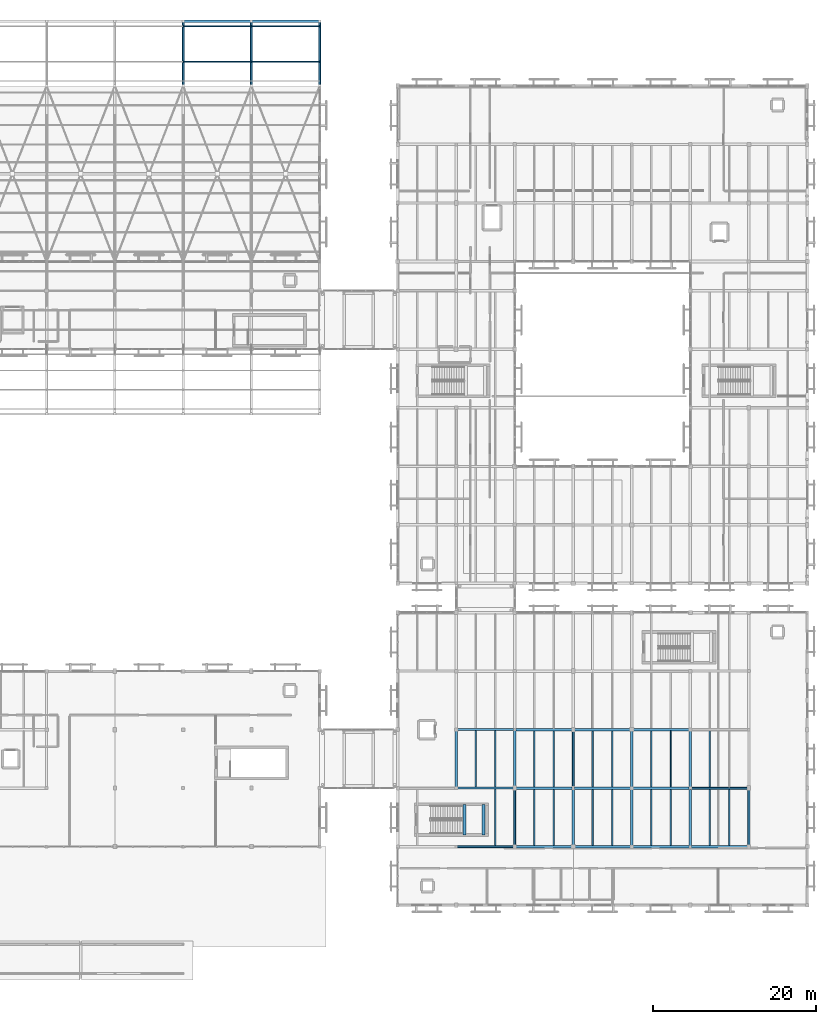
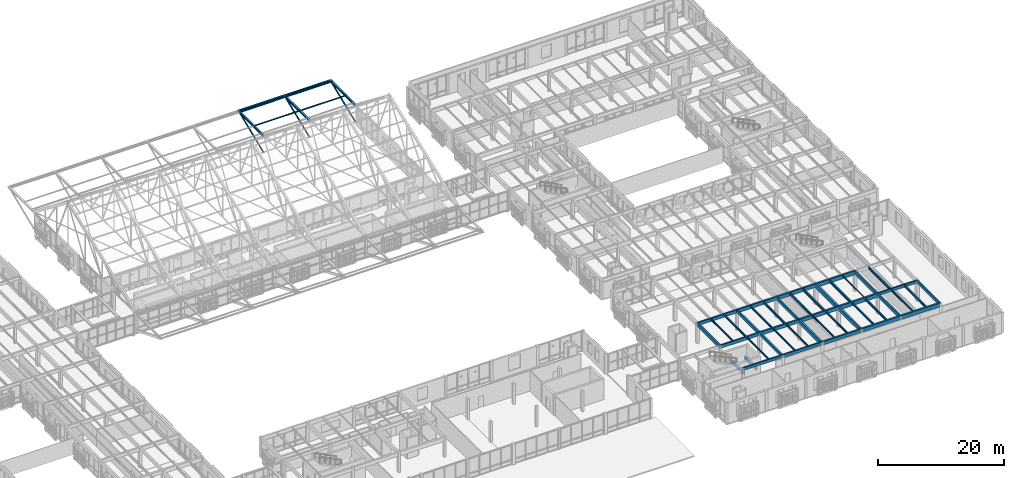
# One storey, part 134 of 217: 46 beams, 10 members.
"""IFC4 building model written with IfcOpenShell, lengths in metres."""

from ifc_helpers import new_model, si_unit, direction, frame, origin, origin_2d, place, context, subcontext, project, spatial, rectangle, hollow_rectangle, i_section, extrude, material, material_profile, profile_set, type_object, element, save


model = new_model("IFC4")

# Units and contexts
model_context = context("Model", 3, precision=1e-05, world=origin(), true_north=direction((0.0, 1.0)))
body_context = subcontext(model_context, "Body", "Model", "MODEL_VIEW")
ifc_project = project(units=[si_unit("LENGTHUNIT", "METRE"), si_unit("AREAUNIT", "SQUARE_METRE"), si_unit("VOLUMEUNIT", "CUBIC_METRE"), si_unit("PLANEANGLEUNIT", "RADIAN"), si_unit("MASSUNIT", "GRAM", prefix="KILO")], contexts=[model_context])

# Site, building, storey
site_placement = place(None, origin())
site = spatial("IfcSite", under=ifc_project, at=site_placement, CompositionType="ELEMENT")
building_placement = place(site_placement, origin())
building = spatial("IfcBuilding", under=site, at=building_placement, Name="Mazaris Harbour Polytechnic", CompositionType="ELEMENT")
storey_placement = place(building_placement, frame((0.0, 0.0, 9.60009765625)))
storey = spatial("IfcBuildingStorey", under=building, at=storey_placement, Name="L02", CompositionType="ELEMENT", Elevation=9.60009765625)

# Beams
ifc_material_1 = material(Name="Glulam GL32h", Category="wood")
ifc_material_profile_1 = material_profile(ifc_material_1, rectangle(XDim=0.239990234375, YDim=0.52001953125, at=origin_2d()), Name="RECT240x520")
ifc_profile_set_1 = profile_set([ifc_material_profile_1], Name="Glulam GL32h")
beam_type_1 = type_object("IfcBeamType", Name="Glulam Girder 240x520", PredefinedType="BEAM", material=ifc_profile_set_1)
for number, where, z_axis, x_axis, name in (
    (1, (158.39990234375, 21.60009765625, 3.659912109375), (1.0, 0.0, 0.0), (0.0, 1.0, 0.0), "V2 L02 Girder 655"),
    (2, (136.800048828125, 14.39990234375, 3.659912109375), (0.0, 1.0, 0.0), (-1.0, 0.0, 0.0), "V2 L02 Tie Girder 680"),
):
    element("IfcBeam", number, at=place(storey_placement, frame(where, z_axis=z_axis, x_axis=x_axis)), inside=storey, type_object=beam_type_1, Name=name, PredefinedType="BEAM", context=body_context, shape_type="SweptSolid", body=[
        extrude(rectangle(XDim=0.239990234375, YDim=0.52001953125, at=origin_2d()), origin(), (0.0, 0.0, 1.0), 7.2001953125),
    ])
beam_1_placement = place(storey_placement, frame((144.0, 21.60009765625, 3.659912109375), z_axis=(0.0, 1.0, 0.0), x_axis=(-1.0, 0.0, 0.0)))
element("IfcBeam", 3, at=beam_1_placement, inside=storey, type_object=beam_type_1, Name="V2 L02 Tie Girder 685", PredefinedType="BEAM", context=body_context, shape_type="SweptSolid", body=[
    extrude(rectangle(XDim=0.239990234375, YDim=0.52001953125, at=origin_2d()), origin(), (0.0, 0.0, 1.0), 7.199951171875),
])
ifc_material_2 = material(Name="Glulam GL32h", Category="wood")
ifc_material_profile_2 = material_profile(ifc_material_2, rectangle(XDim=0.239990234375, YDim=0.52001953125, at=origin_2d()), Name="RECT240x520")
ifc_profile_set_2 = profile_set([ifc_material_profile_2], Name="Glulam GL32h")
beam_type_2 = type_object("IfcBeamType", Name="Glulam Girder 240x520 Exterior", PredefinedType="BEAM", material=ifc_profile_set_2)
beam_2_placement = place(storey_placement, frame((129.60009765625, 14.39990234375, 3.659912109375), z_axis=(1.0, 0.0, 0.0), x_axis=(0.0, 1.0, 0.0)))
element("IfcBeam", 4, at=beam_2_placement, inside=storey, type_object=beam_type_2, Name="V2 L02 Girder 645", PredefinedType="BEAM", context=body_context, shape_type="SweptSolid", body=[
    extrude(rectangle(XDim=0.239990234375, YDim=0.52001953125, at=origin_2d()), origin(), (0.0, 0.0, 1.0), 7.199951171875),
])
beam_3_placement = place(storey_placement, frame((165.60009765625, 14.39990234375, 3.659912109375), z_axis=(0.0, 1.0, 0.0), x_axis=(-1.0, 0.0, 0.0)))
element("IfcBeam", 5, at=beam_3_placement, inside=storey, type_object=beam_type_2, Name="V2 L02 Tie Girder 695", PredefinedType="BEAM", context=body_context, shape_type="SweptSolid", body=[
    extrude(rectangle(XDim=0.239990234375, YDim=0.52001953125, at=origin_2d()), origin(), (0.0, 0.0, 1.0), 7.2001953125),
])
ifc_material_3 = material(Name="Glulam GL32h", Category="wood")
ifc_material_profile_3 = material_profile(ifc_material_3, rectangle(XDim=0.260009765625, YDim=0.580078125, at=origin_2d()), Name="RECT260x580")
ifc_profile_set_3 = profile_set([ifc_material_profile_3], Name="Glulam GL32h")
beam_type_3 = type_object("IfcBeamType", Name="Glulam Girder 260x580", PredefinedType="BEAM", material=ifc_profile_set_3)
for number, where, z_axis, x_axis, name in (
    (6, (129.60009765625, 21.60009765625, 3.6298828125), (1.0, 0.0, 0.0), (0.0, 1.0, 0.0), "V2 L02 Girder 651"),
    (7, (129.60009765625, 28.800048828125, 3.6298828125), (1.0, 0.0, 0.0), (0.0, 1.0, 0.0), "V2 L02 Girder 656"),
    (8, (136.800048828125, 21.60009765625, 3.6298828125), (0.0, 1.0, 0.0), (-1.0, 0.0, 0.0), "V2 L02 Tie Girder 681"),
):
    element("IfcBeam", number, at=place(storey_placement, frame(where, z_axis=z_axis, x_axis=x_axis)), inside=storey, type_object=beam_type_3, Name=name, PredefinedType="BEAM", context=body_context, shape_type="SweptSolid", body=[
        extrude(rectangle(XDim=0.260009765625, YDim=0.580078125, at=origin_2d()), origin(), (0.0, 0.0, 1.0), 7.199951171875),
    ])
ifc_material_4 = material(Name="Glulam GL32h", Category="wood")
ifc_material_profile_4 = material_profile(ifc_material_4, rectangle(XDim=0.260009765625, YDim=0.580078125, at=origin_2d()), Name="RECT260x580")
ifc_profile_set_4 = profile_set([ifc_material_profile_4], Name="Glulam GL32h")
beam_type_4 = type_object("IfcBeamType", Name="Glulam Girder 260x580 Exterior", PredefinedType="BEAM", material=ifc_profile_set_4)
beam_4_placement = place(storey_placement, frame((136.800048828125, 14.39990234375, 3.6298828125), z_axis=(1.0, 0.0, 0.0), x_axis=(0.0, 1.0, 0.0)))
element("IfcBeam", 9, at=beam_4_placement, inside=storey, type_object=beam_type_4, Name="V2 L02 Girder 646", PredefinedType="BEAM", context=body_context, shape_type="SweptSolid", body=[
    extrude(rectangle(XDim=0.260009765625, YDim=0.580078125, at=origin_2d()), origin(), (0.0, 0.0, 1.0), 7.199951171875),
])
ifc_material_5 = material(Name="Glulam GL32h", Category="wood")
ifc_material_profile_5 = material_profile(ifc_material_5, rectangle(XDim=0.280029296875, YDim=0.639892578125, at=origin_2d()), Name="RECT280x640")
ifc_profile_set_5 = profile_set([ifc_material_profile_5], Name="Glulam GL32h")
beam_type_5 = type_object("IfcBeamType", Name="Glulam Girder 280x640", PredefinedType="BEAM", material=ifc_profile_set_5)
for number, where, z_axis, x_axis, name in (
    (10, (136.800048828125, 21.60009765625, 3.599853515625), (1.0, 0.0, 0.0), (0.0, 1.0, 0.0), "V2 L02 Girder 652"),
    (11, (136.800048828125, 28.800048828125, 3.599853515625), (1.0, 0.0, 0.0), (0.0, 1.0, 0.0), "V2 L02 Girder 657"),
    (12, (129.60009765625, 21.60009765625, 3.599853515625), (0.0, 1.0, 0.0), (-1.0, 0.0, 0.0), "V2 L02 Tie Girder 677"),
):
    element("IfcBeam", number, at=place(storey_placement, frame(where, z_axis=z_axis, x_axis=x_axis)), inside=storey, type_object=beam_type_5, Name=name, PredefinedType="BEAM", context=body_context, shape_type="SweptSolid", body=[
        extrude(rectangle(XDim=0.280029296875, YDim=0.639892578125, at=origin_2d()), origin(), (0.0, 0.0, 1.0), 7.199951171875),
    ])
beam_5_placement = place(storey_placement, frame((158.39990234375, 14.39990234375, 3.599853515625), z_axis=(0.0, 1.0, 0.0), x_axis=(-1.0, 0.0, 0.0)))
element("IfcBeam", 13, at=beam_5_placement, inside=storey, type_object=beam_type_5, Name="V2 L02 Tie Girder 692", PredefinedType="BEAM", context=body_context, shape_type="SweptSolid", body=[
    extrude(rectangle(XDim=0.280029296875, YDim=0.639892578125, at=origin_2d()), origin(), (0.0, 0.0, 1.0), 7.2001953125),
])
ifc_material_6 = material(Name="Glulam GL32h", Category="wood")
ifc_material_profile_6 = material_profile(ifc_material_6, rectangle(XDim=0.280029296875, YDim=0.639892578125, at=origin_2d()), Name="RECT280x640")
ifc_profile_set_6 = profile_set([ifc_material_profile_6], Name="Glulam GL32h")
beam_type_6 = type_object("IfcBeamType", Name="Glulam Girder 280x640 Exterior", PredefinedType="BEAM", material=ifc_profile_set_6)
beam_6_placement = place(storey_placement, frame((144.0, 14.39990234375, 3.599853515625), z_axis=(1.0, 0.0, 0.0), x_axis=(0.0, 1.0, 0.0)))
element("IfcBeam", 14, at=beam_6_placement, inside=storey, type_object=beam_type_6, Name="V2 L02 Girder 647", PredefinedType="BEAM", context=body_context, shape_type="SweptSolid", body=[
    extrude(rectangle(XDim=0.280029296875, YDim=0.639892578125, at=origin_2d()), origin(), (0.0, 0.0, 1.0), 7.199951171875),
])
ifc_material_7 = material(Name="Glulam GL32h", Category="wood")
ifc_material_profile_7 = material_profile(ifc_material_7, rectangle(XDim=0.300048828125, YDim=0.679931640625, at=origin_2d()), Name="RECT300x680")
ifc_profile_set_7 = profile_set([ifc_material_profile_7], Name="Glulam GL32h")
beam_type_7 = type_object("IfcBeamType", Name="Glulam Girder 300x680", PredefinedType="BEAM", material=ifc_profile_set_7)
for number, where, z_axis, x_axis, name in (
    (15, (144.0, 21.60009765625, 3.579833984375), (1.0, 0.0, 0.0), (0.0, 1.0, 0.0), "V2 L02 Girder 653"),
    (16, (144.0, 28.800048828125, 3.579833984375), (1.0, 0.0, 0.0), (0.0, 1.0, 0.0), "V2 L02 Girder 658"),
):
    element("IfcBeam", number, at=place(storey_placement, frame(where, z_axis=z_axis, x_axis=x_axis)), inside=storey, type_object=beam_type_7, Name=name, PredefinedType="BEAM", context=body_context, shape_type="SweptSolid", body=[
        extrude(rectangle(XDim=0.300048828125, YDim=0.679931640625, at=origin_2d()), origin(), (0.0, 0.0, 1.0), 7.199951171875),
    ])
beam_7_placement = place(storey_placement, frame((151.199951171875, 14.39990234375, 3.579833984375), z_axis=(0.0, 1.0, 0.0), x_axis=(-1.0, 0.0, 0.0)))
element("IfcBeam", 17, at=beam_7_placement, inside=storey, type_object=beam_type_7, Name="V2 L02 Tie Girder 688", PredefinedType="BEAM", context=body_context, shape_type="SweptSolid", body=[
    extrude(rectangle(XDim=0.300048828125, YDim=0.679931640625, at=origin_2d()), origin(), (0.0, 0.0, 1.0), 7.2001953125),
])
beam_8_placement = place(storey_placement, frame((158.39990234375, 21.60009765625, 3.579833984375), z_axis=(0.0, 1.0, 0.0), x_axis=(-1.0, 0.0, 0.0)))
element("IfcBeam", 18, at=beam_8_placement, inside=storey, type_object=beam_type_7, Name="V2 L02 Tie Girder 693", PredefinedType="BEAM", context=body_context, shape_type="SweptSolid", body=[
    extrude(rectangle(XDim=0.300048828125, YDim=0.679931640625, at=origin_2d()), origin(), (0.0, 0.0, 1.0), 7.199951171875),
])
ifc_material_8 = material(Name="Glulam GL32h", Category="wood")
ifc_material_profile_8 = material_profile(ifc_material_8, rectangle(XDim=0.300048828125, YDim=0.679931640625, at=origin_2d()), Name="RECT300x680")
ifc_profile_set_8 = profile_set([ifc_material_profile_8], Name="Glulam GL32h")
beam_type_8 = type_object("IfcBeamType", Name="Glulam Girder 300x680 Exterior", PredefinedType="BEAM", material=ifc_profile_set_8)
beam_9_placement = place(storey_placement, frame((151.199951171875, 14.39990234375, 3.579833984375), z_axis=(1.0, 0.0, 0.0), x_axis=(0.0, 1.0, 0.0)))
element("IfcBeam", 19, at=beam_9_placement, inside=storey, type_object=beam_type_8, Name="V2 L02 Girder 648", PredefinedType="BEAM", context=body_context, shape_type="SweptSolid", body=[
    extrude(rectangle(XDim=0.300048828125, YDim=0.679931640625, at=origin_2d()), origin(), (0.0, 0.0, 1.0), 7.199951171875),
])
ifc_material_9 = material(Name="Glulam GL32h", Category="wood")
ifc_material_profile_9 = material_profile(ifc_material_9, rectangle(XDim=0.320068359375, YDim=0.739990234375, at=origin_2d()), Name="RECT320x740")
ifc_profile_set_9 = profile_set([ifc_material_profile_9], Name="Glulam GL32h")
beam_type_9 = type_object("IfcBeamType", Name="Glulam Girder 320x740", PredefinedType="BEAM", material=ifc_profile_set_9)
for number, where, z_axis, x_axis, name in (
    (20, (151.199951171875, 21.60009765625, 3.5498046875), (1.0, 0.0, 0.0), (0.0, 1.0, 0.0), "V2 L02 Girder 654"),
    (21, (151.199951171875, 28.800048828125, 3.5498046875), (1.0, 0.0, 0.0), (0.0, 1.0, 0.0), "V2 L02 Girder 659"),
):
    element("IfcBeam", number, at=place(storey_placement, frame(where, z_axis=z_axis, x_axis=x_axis)), inside=storey, type_object=beam_type_9, Name=name, PredefinedType="BEAM", context=body_context, shape_type="SweptSolid", body=[
        extrude(rectangle(XDim=0.320068359375, YDim=0.739990234375, at=origin_2d()), origin(), (0.0, 0.0, 1.0), 7.199951171875),
    ])
beam_10_placement = place(storey_placement, frame((144.0, 14.39990234375, 3.5498046875), z_axis=(0.0, 1.0, 0.0), x_axis=(-1.0, 0.0, 0.0)))
element("IfcBeam", 22, at=beam_10_placement, inside=storey, type_object=beam_type_9, Name="V2 L02 Tie Girder 684", PredefinedType="BEAM", context=body_context, shape_type="SweptSolid", body=[
    extrude(rectangle(XDim=0.320068359375, YDim=0.739990234375, at=origin_2d()), origin(), (0.0, 0.0, 1.0), 7.2001953125),
])
beam_11_placement = place(storey_placement, frame((151.199951171875, 21.60009765625, 3.5498046875), z_axis=(0.0, 1.0, 0.0), x_axis=(-1.0, 0.0, 0.0)))
element("IfcBeam", 23, at=beam_11_placement, inside=storey, type_object=beam_type_9, Name="V2 L02 Tie Girder 689", PredefinedType="BEAM", context=body_context, shape_type="SweptSolid", body=[
    extrude(rectangle(XDim=0.320068359375, YDim=0.739990234375, at=origin_2d()), origin(), (0.0, 0.0, 1.0), 7.199951171875),
])
ifc_material_10 = material(Name="Glulam GL32h", Category="wood")
ifc_material_profile_10 = material_profile(ifc_material_10, rectangle(XDim=0.320068359375, YDim=0.739990234375, at=origin_2d()), Name="RECT320x740")
ifc_profile_set_10 = profile_set([ifc_material_profile_10], Name="Glulam GL32h")
beam_type_10 = type_object("IfcBeamType", Name="Glulam Girder 320x740 Exterior", PredefinedType="BEAM", material=ifc_profile_set_10)
beam_12_placement = place(storey_placement, frame((158.39990234375, 14.39990234375, 3.5498046875), z_axis=(1.0, 0.0, 0.0), x_axis=(0.0, 1.0, 0.0)))
element("IfcBeam", 24, at=beam_12_placement, inside=storey, type_object=beam_type_10, Name="V2 L02 Girder 649", PredefinedType="BEAM", context=body_context, shape_type="SweptSolid", body=[
    extrude(rectangle(XDim=0.320068359375, YDim=0.739990234375, at=origin_2d()), origin(), (0.0, 0.0, 1.0), 7.2001953125),
])
ifc_material_11 = material(Name="Concrete C40/50", Category="concrete")
ifc_material_profile_11 = material_profile(ifc_material_11, rectangle(XDim=0.35009765625, YDim=0.52001953125, at=origin_2d()), Name="RECT350x520")
ifc_profile_set_11 = profile_set([ifc_material_profile_11], Name="Concrete C40/50")
beam_type_11 = type_object("IfcBeamType", Name="RC Landing Bearer 350x520", PredefinedType="BEAM", material=ifc_profile_set_11)
for number, where, z_axis, x_axis, name in (
    (25, (130.60009765625, 15.85009765625, 1.639892578125), (0.0, 1.0, 0.0), (-1.0, 0.0, 0.0), "Core ST03 L02 Landing Bearer"),
    (26, (132.949951171875, 15.85009765625, 1.639892578125), (0.0, 1.0, 0.0), (-1.0, 0.0, 0.0), "Core ST03 L02 Landing Bearer"),
):
    element("IfcBeam", number, at=place(storey_placement, frame(where, z_axis=z_axis, x_axis=x_axis)), inside=storey, type_object=beam_type_11, Name=name, PredefinedType="BEAM", context=body_context, shape_type="SweptSolid", body=[
        extrude(rectangle(XDim=0.35009765625, YDim=0.52001953125, at=origin_2d()), origin(), (0.0, 0.0, 1.0), 3.75),
    ])
ifc_material_12 = material(Name="Steel S355", Category="steel")
ifc_material_profile_12 = material_profile(ifc_material_12, i_section(OverallWidth=0.260009765625, OverallDepth=0.25, WebThickness=0.007568359375, FlangeThickness=0.012451171875, FilletRadius=0.02392578125, at=origin_2d()), Name="HEA 260")
ifc_profile_set_12 = profile_set([ifc_material_profile_12], Name="Steel S355")
beam_type_12 = type_object("IfcBeamType", Name="Steel Beam HEA260 Exterior", PredefinedType="SPANDREL", material=ifc_profile_set_12)
beam_13_placement = place(storey_placement, frame((96.0, 115.949951171875, 3.75), z_axis=(1.0, 0.0, 0.0), x_axis=(0.0, 1.0, 0.0)))
element("IfcBeam", 27, at=beam_13_placement, inside=storey, type_object=beam_type_12, Name="V1 Eave Fascia Beam 6", PredefinedType="SPANDREL", context=body_context, shape_type="SweptSolid", body=[
    extrude(i_section(OverallWidth=0.260009765625, OverallDepth=0.25, WebThickness=0.007568359375, FlangeThickness=0.012451171875, FilletRadius=0.02392578125, at=origin_2d()), origin(), (0.0, 0.0, 1.0), 8.39990234375),
])
beam_14_placement = place(storey_placement, frame((104.39990234375, 115.949951171875, 3.75), z_axis=(1.0, 0.0, 0.0), x_axis=(0.0, 1.0, 0.0)))
element("IfcBeam", 28, at=beam_14_placement, inside=storey, type_object=beam_type_12, Name="V1 Eave Fascia Beam 7", PredefinedType="SPANDREL", context=body_context, shape_type="SweptSolid", body=[
    extrude(i_section(OverallWidth=0.260009765625, OverallDepth=0.25, WebThickness=0.007568359375, FlangeThickness=0.012451171875, FilletRadius=0.02392578125, at=origin_2d()), origin(), (0.0, 0.0, 1.0), 8.400146484375),
])

# Members
ifc_material_13 = material(Name="Steel S355", Category="steel")
ifc_material_profile_13 = material_profile(ifc_material_13, i_section(OverallWidth=0.300048828125, OverallDepth=0.360107421875, WebThickness=0.012451171875, FlangeThickness=0.0224609375, FilletRadius=0.027099609375, at=origin_2d()), Name="HEB 360")
ifc_profile_set_13 = profile_set([ifc_material_profile_13], Name="Steel S355")
member_type_1 = type_object("IfcMemberType", Name="Steel Eave Cantilever HEB360", PredefinedType="CHORD", material=ifc_profile_set_13)
for number, where, z_axis, x_axis, name in (
    (29, (96.0, 108.0, 3.75), (0.0, 1.0, 0.0), (-1.0, 0.0, 0.0), "Truss 6 North Overhanging Eave Chord"),
    (30, (104.39990234375, 108.0, 3.75), (0.0, 1.0, 0.0), (-1.0, 0.0, 0.0), "Truss 7 North Overhanging Eave Chord"),
    (31, (112.800048828125, 108.0, 3.75), (0.0, 1.0, 0.0), (-1.0, 0.0, 0.0), "Truss 8 North Overhanging Eave Chord"),
):
    element("IfcMember", number, at=place(storey_placement, frame(where, z_axis=z_axis, x_axis=x_axis)), inside=storey, type_object=member_type_1, Name=name, PredefinedType="CHORD", context=body_context, shape_type="SweptSolid", body=[
        extrude(i_section(OverallWidth=0.300048828125, OverallDepth=0.360107421875, WebThickness=0.012451171875, FlangeThickness=0.0224609375, FilletRadius=0.027099609375, at=origin_2d()), origin(), (0.0, 0.0, 1.0), 7.949951171875),
    ])
ifc_material_14 = material(Name="Steel S355", Category="steel")
ifc_material_profile_14 = material_profile(ifc_material_14, hollow_rectangle(XDim=0.159912109375, YDim=0.260009765625, WallThickness=0.010009765625, at=origin_2d()), Name="RHS 160x260x10.0")
ifc_profile_set_14 = profile_set([ifc_material_profile_14], Name="Steel S355")
member_type_2 = type_object("IfcMemberType", Name="Steel Eave Strut RHS160x260", PredefinedType="BRACE", material=ifc_profile_set_14)
for number, where, z_axis, x_axis, name in (
    (32, (96.0, 108.0, 0.5), (0.0, 0.925638848349, 0.378408142654), (-1.0, 0.0, 0.0), "Truss 6 North Eave Raking Strut"),
    (33, (104.39990234375, 108.0, 0.5), (0.0, 0.925638848349, 0.378408142654), (-1.0, 0.0, 0.0), "Truss 7 North Eave Raking Strut"),
    (34, (112.800048828125, 108.0, 0.5), (0.0, 0.925638848349, 0.378408142654), (-1.0, 0.0, 0.0), "Truss 8 North Eave Raking Strut"),
):
    element("IfcMember", number, at=place(storey_placement, frame(where, z_axis=z_axis, x_axis=x_axis)), inside=storey, type_object=member_type_2, Name=name, PredefinedType="BRACE", context=body_context, shape_type="SweptSolid", body=[
        extrude(hollow_rectangle(XDim=0.159912109375, YDim=0.260009765625, WallThickness=0.010009765625, at=origin_2d()), origin(), (0.0, 0.0, 1.0), 8.588623046875),
    ])

# Beams
ifc_material_15 = material(Name="Steel S355", Category="steel")
ifc_material_profile_15 = material_profile(ifc_material_15, i_section(OverallWidth=0.10009765625, OverallDepth=0.199951171875, WebThickness=0.005615234375, FlangeThickness=0.008544921875, FilletRadius=0.011962890625, at=origin_2d()), Name="IPE 200")
ifc_profile_set_15 = profile_set([ifc_material_profile_15], Name="Steel S355")
beam_type_13 = type_object("IfcBeamType", Name="Steel Joist IPE200", PredefinedType="JOIST", material=ifc_profile_set_15)
beam_15_placement = place(storey_placement, frame((156.0, 21.760009765625, 3.81982421875), z_axis=(0.0, 1.0, 0.0), x_axis=(-1.0, 0.0, 0.0)))
element("IfcBeam", 35, at=beam_15_placement, inside=storey, type_object=beam_type_13, Name="V2 L02 Floor Joist 728", PredefinedType="JOIST", context=body_context, shape_type="SweptSolid", body=[
    extrude(i_section(OverallWidth=0.10009765625, OverallDepth=0.199951171875, WebThickness=0.005615234375, FlangeThickness=0.008544921875, FilletRadius=0.011962890625, at=origin_2d()), origin(), (0.0, 0.0, 1.0), 6.8798828125),
])
ifc_material_16 = material(Name="Steel S355", Category="steel")
ifc_material_profile_16 = material_profile(ifc_material_16, i_section(OverallWidth=0.135009765625, OverallDepth=0.27001953125, WebThickness=0.006591796875, FlangeThickness=0.01025390625, FilletRadius=0.014892578125, at=origin_2d()), Name="IPE 270")
ifc_profile_set_16 = profile_set([ifc_material_profile_16], Name="Steel S355")
beam_type_14 = type_object("IfcBeamType", Name="Steel Joist IPE270", PredefinedType="JOIST", material=ifc_profile_set_16)
beam_16_placement = place(storey_placement, frame((134.39990234375, 14.52001953125, 3.784912109375), z_axis=(0.0, 1.0, 0.0), x_axis=(-1.0, 0.0, 0.0)))
element("IfcBeam", 36, at=beam_16_placement, inside=storey, type_object=beam_type_14, Name="V2 L02 Floor Joist 702", PredefinedType="JOIST", context=body_context, shape_type="SweptSolid", body=[
    extrude(i_section(OverallWidth=0.135009765625, OverallDepth=0.27001953125, WebThickness=0.006591796875, FlangeThickness=0.01025390625, FilletRadius=0.014892578125, at=origin_2d()), origin(), (0.0, 0.0, 1.0), 6.949951171875),
])
beam_17_placement = place(storey_placement, frame((139.199951171875, 14.530029296875, 3.784912109375), z_axis=(0.0, 1.0, 0.0), x_axis=(-1.0, 0.0, 0.0)))
element("IfcBeam", 37, at=beam_17_placement, inside=storey, type_object=beam_type_14, Name="V2 L02 Floor Joist 709", PredefinedType="JOIST", context=body_context, shape_type="SweptSolid", body=[
    extrude(i_section(OverallWidth=0.135009765625, OverallDepth=0.27001953125, WebThickness=0.006591796875, FlangeThickness=0.01025390625, FilletRadius=0.014892578125, at=origin_2d()), origin(), (0.0, 0.0, 1.0), 6.929931640625),
])
ifc_material_17 = material(Name="Steel S355", Category="steel")
ifc_material_profile_17 = material_profile(ifc_material_17, i_section(OverallWidth=0.14990234375, OverallDepth=0.300048828125, WebThickness=0.007080078125, FlangeThickness=0.0107421875, FilletRadius=0.014892578125, at=origin_2d()), Name="IPE 300")
ifc_profile_set_17 = profile_set([ifc_material_profile_17], Name="Steel S355")
beam_type_15 = type_object("IfcBeamType", Name="Steel Joist IPE300", PredefinedType="JOIST", material=ifc_profile_set_17)
beam_18_placement = place(storey_placement, frame((132.0, 21.72998046875, 3.77001953125), z_axis=(0.0, 1.0, 0.0), x_axis=(-1.0, 0.0, 0.0)))
element("IfcBeam", 38, at=beam_18_placement, inside=storey, type_object=beam_type_15, Name="V2 L02 Floor Joist 703", PredefinedType="JOIST", context=body_context, shape_type="SweptSolid", body=[
    extrude(i_section(OverallWidth=0.14990234375, OverallDepth=0.300048828125, WebThickness=0.007080078125, FlangeThickness=0.0107421875, FilletRadius=0.014892578125, at=origin_2d()), origin(), (0.0, 0.0, 1.0), 6.93994140625),
])
beam_19_placement = place(storey_placement, frame((141.60009765625, 14.530029296875, 3.77001953125), z_axis=(0.0, 1.0, 0.0), x_axis=(-1.0, 0.0, 0.0)))
element("IfcBeam", 39, at=beam_19_placement, inside=storey, type_object=beam_type_15, Name="V2 L02 Floor Joist 710", PredefinedType="JOIST", context=body_context, shape_type="SweptSolid", body=[
    extrude(i_section(OverallWidth=0.14990234375, OverallDepth=0.300048828125, WebThickness=0.007080078125, FlangeThickness=0.0107421875, FilletRadius=0.014892578125, at=origin_2d()), origin(), (0.0, 0.0, 1.0), 6.929931640625),
])
beam_20_placement = place(storey_placement, frame((146.39990234375, 14.5400390625, 3.77001953125), z_axis=(0.0, 1.0, 0.0), x_axis=(-1.0, 0.0, 0.0)))
element("IfcBeam", 40, at=beam_20_placement, inside=storey, type_object=beam_type_15, Name="V2 L02 Floor Joist 717", PredefinedType="JOIST", context=body_context, shape_type="SweptSolid", body=[
    extrude(i_section(OverallWidth=0.14990234375, OverallDepth=0.300048828125, WebThickness=0.007080078125, FlangeThickness=0.0107421875, FilletRadius=0.014892578125, at=origin_2d()), origin(), (0.0, 0.0, 1.0), 6.909912109375),
])
ifc_material_18 = material(Name="Steel S355", Category="steel")
ifc_material_profile_18 = material_profile(ifc_material_18, i_section(OverallWidth=0.169921875, OverallDepth=0.360107421875, WebThickness=0.008056640625, FlangeThickness=0.0126953125, FilletRadius=0.01806640625, at=origin_2d()), Name="IPE 360")
ifc_profile_set_18 = profile_set([ifc_material_profile_18], Name="Steel S355")
beam_type_16 = type_object("IfcBeamType", Name="Steel Joist IPE360", PredefinedType="JOIST", material=ifc_profile_set_18)
beam_21_placement = place(storey_placement, frame((134.39990234375, 21.72998046875, 3.739990234375), z_axis=(0.0, 1.0, 0.0), x_axis=(-1.0, 0.0, 0.0)))
element("IfcBeam", 41, at=beam_21_placement, inside=storey, type_object=beam_type_16, Name="V2 L02 Floor Joist 704", PredefinedType="JOIST", context=body_context, shape_type="SweptSolid", body=[
    extrude(i_section(OverallWidth=0.169921875, OverallDepth=0.360107421875, WebThickness=0.008056640625, FlangeThickness=0.0126953125, FilletRadius=0.01806640625, at=origin_2d()), origin(), (0.0, 0.0, 1.0), 6.93994140625),
])
beam_22_placement = place(storey_placement, frame((139.199951171875, 21.739990234375, 3.739990234375), z_axis=(0.0, 1.0, 0.0), x_axis=(-1.0, 0.0, 0.0)))
element("IfcBeam", 42, at=beam_22_placement, inside=storey, type_object=beam_type_16, Name="V2 L02 Floor Joist 711", PredefinedType="JOIST", context=body_context, shape_type="SweptSolid", body=[
    extrude(i_section(OverallWidth=0.169921875, OverallDepth=0.360107421875, WebThickness=0.008056640625, FlangeThickness=0.0126953125, FilletRadius=0.01806640625, at=origin_2d()), origin(), (0.0, 0.0, 1.0), 6.919921875),
])
beam_23_placement = place(storey_placement, frame((148.800048828125, 14.5400390625, 3.739990234375), z_axis=(0.0, 1.0, 0.0), x_axis=(-1.0, 0.0, 0.0)))
element("IfcBeam", 43, at=beam_23_placement, inside=storey, type_object=beam_type_16, Name="V2 L02 Floor Joist 718", PredefinedType="JOIST", context=body_context, shape_type="SweptSolid", body=[
    extrude(i_section(OverallWidth=0.169921875, OverallDepth=0.360107421875, WebThickness=0.008056640625, FlangeThickness=0.0126953125, FilletRadius=0.01806640625, at=origin_2d()), origin(), (0.0, 0.0, 1.0), 6.909912109375),
])
beam_24_placement = place(storey_placement, frame((153.60009765625, 14.550048828125, 3.739990234375), z_axis=(0.0, 1.0, 0.0), x_axis=(-1.0, 0.0, 0.0)))
element("IfcBeam", 44, at=beam_24_placement, inside=storey, type_object=beam_type_16, Name="V2 L02 Floor Joist 725", PredefinedType="JOIST", context=body_context, shape_type="SweptSolid", body=[
    extrude(i_section(OverallWidth=0.169921875, OverallDepth=0.360107421875, WebThickness=0.008056640625, FlangeThickness=0.0126953125, FilletRadius=0.01806640625, at=origin_2d()), origin(), (0.0, 0.0, 1.0), 6.889892578125),
])
beam_25_placement = place(storey_placement, frame((160.800048828125, 14.56005859375, 3.739990234375), z_axis=(0.0, 1.0, 0.0), x_axis=(-1.0, 0.0, 0.0)))
element("IfcBeam", 45, at=beam_25_placement, inside=storey, type_object=beam_type_16, Name="V2 L02 Floor Joist 732", PredefinedType="JOIST", context=body_context, shape_type="SweptSolid", body=[
    extrude(i_section(OverallWidth=0.169921875, OverallDepth=0.360107421875, WebThickness=0.008056640625, FlangeThickness=0.0126953125, FilletRadius=0.01806640625, at=origin_2d()), origin(), (0.0, 0.0, 1.0), 6.919921875),
])
ifc_material_19 = material(Name="Steel S355", Category="steel")
ifc_material_profile_19 = material_profile(ifc_material_19, i_section(OverallWidth=0.179931640625, OverallDepth=0.39990234375, WebThickness=0.008544921875, FlangeThickness=0.013427734375, FilletRadius=0.02099609375, at=origin_2d()), Name="IPE 400")
ifc_profile_set_19 = profile_set([ifc_material_profile_19], Name="Steel S355")
beam_type_17 = type_object("IfcBeamType", Name="Steel Joist IPE400", PredefinedType="JOIST", material=ifc_profile_set_19)
beam_26_placement = place(storey_placement, frame((141.60009765625, 21.739990234375, 3.719970703125), z_axis=(0.0, 1.0, 0.0), x_axis=(-1.0, 0.0, 0.0)))
element("IfcBeam", 46, at=beam_26_placement, inside=storey, type_object=beam_type_17, Name="V2 L02 Floor Joist 712", PredefinedType="JOIST", context=body_context, shape_type="SweptSolid", body=[
    extrude(i_section(OverallWidth=0.179931640625, OverallDepth=0.39990234375, WebThickness=0.008544921875, FlangeThickness=0.013427734375, FilletRadius=0.02099609375, at=origin_2d()), origin(), (0.0, 0.0, 1.0), 6.919921875),
])
beam_27_placement = place(storey_placement, frame((146.39990234375, 21.75, 3.719970703125), z_axis=(0.0, 1.0, 0.0), x_axis=(-1.0, 0.0, 0.0)))
element("IfcBeam", 47, at=beam_27_placement, inside=storey, type_object=beam_type_17, Name="V2 L02 Floor Joist 719", PredefinedType="JOIST", context=body_context, shape_type="SweptSolid", body=[
    extrude(i_section(OverallWidth=0.179931640625, OverallDepth=0.39990234375, WebThickness=0.008544921875, FlangeThickness=0.013427734375, FilletRadius=0.02099609375, at=origin_2d()), origin(), (0.0, 0.0, 1.0), 6.89990234375),
])
beam_28_placement = place(storey_placement, frame((156.0, 14.550048828125, 3.719970703125), z_axis=(0.0, 1.0, 0.0), x_axis=(-1.0, 0.0, 0.0)))
element("IfcBeam", 48, at=beam_28_placement, inside=storey, type_object=beam_type_17, Name="V2 L02 Floor Joist 726", PredefinedType="JOIST", context=body_context, shape_type="SweptSolid", body=[
    extrude(i_section(OverallWidth=0.179931640625, OverallDepth=0.39990234375, WebThickness=0.008544921875, FlangeThickness=0.013427734375, FilletRadius=0.02099609375, at=origin_2d()), origin(), (0.0, 0.0, 1.0), 6.889892578125),
])
beam_29_placement = place(storey_placement, frame((163.199951171875, 14.56005859375, 3.719970703125), z_axis=(0.0, 1.0, 0.0), x_axis=(-1.0, 0.0, 0.0)))
element("IfcBeam", 49, at=beam_29_placement, inside=storey, type_object=beam_type_17, Name="V2 L02 Floor Joist 733", PredefinedType="JOIST", context=body_context, shape_type="SweptSolid", body=[
    extrude(i_section(OverallWidth=0.179931640625, OverallDepth=0.39990234375, WebThickness=0.008544921875, FlangeThickness=0.013427734375, FilletRadius=0.02099609375, at=origin_2d()), origin(), (0.0, 0.0, 1.0), 6.919921875),
])
ifc_material_20 = material(Name="Steel S355", Category="steel")
ifc_material_profile_20 = material_profile(ifc_material_20, i_section(OverallWidth=0.18994140625, OverallDepth=0.449951171875, WebThickness=0.009521484375, FlangeThickness=0.0146484375, FilletRadius=0.02099609375, at=origin_2d()), Name="IPE 450")
ifc_profile_set_20 = profile_set([ifc_material_profile_20], Name="Steel S355")
beam_type_18 = type_object("IfcBeamType", Name="Steel Joist IPE450", PredefinedType="JOIST", material=ifc_profile_set_20)
beam_30_placement = place(storey_placement, frame((148.800048828125, 21.75, 3.69482421875), z_axis=(0.0, 1.0, 0.0), x_axis=(-1.0, 0.0, 0.0)))
element("IfcBeam", 50, at=beam_30_placement, inside=storey, type_object=beam_type_18, Name="V2 L02 Floor Joist 720", PredefinedType="JOIST", context=body_context, shape_type="SweptSolid", body=[
    extrude(i_section(OverallWidth=0.18994140625, OverallDepth=0.449951171875, WebThickness=0.009521484375, FlangeThickness=0.0146484375, FilletRadius=0.02099609375, at=origin_2d()), origin(), (0.0, 0.0, 1.0), 6.89990234375),
])
beam_31_placement = place(storey_placement, frame((153.60009765625, 21.760009765625, 3.69482421875), z_axis=(0.0, 1.0, 0.0), x_axis=(-1.0, 0.0, 0.0)))
element("IfcBeam", 51, at=beam_31_placement, inside=storey, type_object=beam_type_18, Name="V2 L02 Floor Joist 727", PredefinedType="JOIST", context=body_context, shape_type="SweptSolid", body=[
    extrude(i_section(OverallWidth=0.18994140625, OverallDepth=0.449951171875, WebThickness=0.009521484375, FlangeThickness=0.0146484375, FilletRadius=0.02099609375, at=origin_2d()), origin(), (0.0, 0.0, 1.0), 6.8798828125),
])
beam_32_placement = place(storey_placement, frame((160.800048828125, 21.719970703125, 3.69482421875), z_axis=(0.0, 1.0, 0.0), x_axis=(-1.0, 0.0, 0.0)))
element("IfcBeam", 52, at=beam_32_placement, inside=storey, type_object=beam_type_18, Name="V2 L02 Floor Joist 734", PredefinedType="JOIST", context=body_context, shape_type="SweptSolid", body=[
    extrude(i_section(OverallWidth=0.18994140625, OverallDepth=0.449951171875, WebThickness=0.009521484375, FlangeThickness=0.0146484375, FilletRadius=0.02099609375, at=origin_2d()), origin(), (0.0, 0.0, 1.0), 6.9599609375),
])

# Members
ifc_material_21 = material(Name="Steel S355", Category="steel")
ifc_material_profile_21 = material_profile(ifc_material_21, i_section(OverallWidth=0.08203125, OverallDepth=0.159912109375, WebThickness=0.0048828125, FlangeThickness=0.00732421875, FilletRadius=0.009033203125, at=origin_2d()), Name="IPE 160")
ifc_profile_set_21 = profile_set([ifc_material_profile_21], Name="Steel S355")
member_type_3 = type_object("IfcMemberType", Name="Steel Purlin IPE160 Exterior", PredefinedType="PURLIN", material=ifc_profile_set_21)
member_1_placement = place(storey_placement, frame((96.0, 115.35009765625, 3.875), z_axis=(1.0, 0.0, 0.0), x_axis=(0.0, 1.0, 0.0)))
element("IfcMember", 53, at=member_1_placement, inside=storey, type_object=member_type_3, Name="V1 Roof Purlin N-126", PredefinedType="PURLIN", context=body_context, shape_type="SweptSolid", body=[
    extrude(i_section(OverallWidth=0.08203125, OverallDepth=0.159912109375, WebThickness=0.0048828125, FlangeThickness=0.00732421875, FilletRadius=0.009033203125, at=origin_2d()), origin(), (0.0, 0.0, 1.0), 8.39990234375),
])
member_2_placement = place(storey_placement, frame((104.39990234375, 115.35009765625, 3.875), z_axis=(1.0, 0.0, 0.0), x_axis=(0.0, 1.0, 0.0)))
element("IfcMember", 54, at=member_2_placement, inside=storey, type_object=member_type_3, Name="V1 Roof Purlin N-147", PredefinedType="PURLIN", context=body_context, shape_type="SweptSolid", body=[
    extrude(i_section(OverallWidth=0.08203125, OverallDepth=0.159912109375, WebThickness=0.0048828125, FlangeThickness=0.00732421875, FilletRadius=0.009033203125, at=origin_2d()), origin(), (0.0, 0.0, 1.0), 8.400146484375),
])
ifc_material_22 = material(Name="Steel S355", Category="steel")
ifc_material_profile_22 = material_profile(ifc_material_22, i_section(OverallWidth=0.1201171875, OverallDepth=0.239990234375, WebThickness=0.006103515625, FlangeThickness=0.009765625, FilletRadius=0.014892578125, at=origin_2d()), Name="IPE 240")
ifc_profile_set_22 = profile_set([ifc_material_profile_22], Name="Steel S355")
member_type_4 = type_object("IfcMemberType", Name="Steel Purlin IPE240 Exterior", PredefinedType="PURLIN", material=ifc_profile_set_22)
member_3_placement = place(storey_placement, frame((96.0, 111.0, 3.8349609375), z_axis=(1.0, 0.0, 0.0), x_axis=(0.0, 1.0, 0.0)))
element("IfcMember", 55, at=member_3_placement, inside=storey, type_object=member_type_4, Name="V1 Roof Purlin N-125", PredefinedType="PURLIN", context=body_context, shape_type="SweptSolid", body=[
    extrude(i_section(OverallWidth=0.1201171875, OverallDepth=0.239990234375, WebThickness=0.006103515625, FlangeThickness=0.009765625, FilletRadius=0.014892578125, at=origin_2d()), origin(), (0.0, 0.0, 1.0), 8.39990234375),
])
member_4_placement = place(storey_placement, frame((104.39990234375, 111.0, 3.8349609375), z_axis=(1.0, 0.0, 0.0), x_axis=(0.0, 1.0, 0.0)))
element("IfcMember", 56, at=member_4_placement, inside=storey, type_object=member_type_4, Name="V1 Roof Purlin N-146", PredefinedType="PURLIN", context=body_context, shape_type="SweptSolid", body=[
    extrude(i_section(OverallWidth=0.1201171875, OverallDepth=0.239990234375, WebThickness=0.006103515625, FlangeThickness=0.009765625, FilletRadius=0.014892578125, at=origin_2d()), origin(), (0.0, 0.0, 1.0), 8.400146484375),
])

save(model, "model.ifc")
